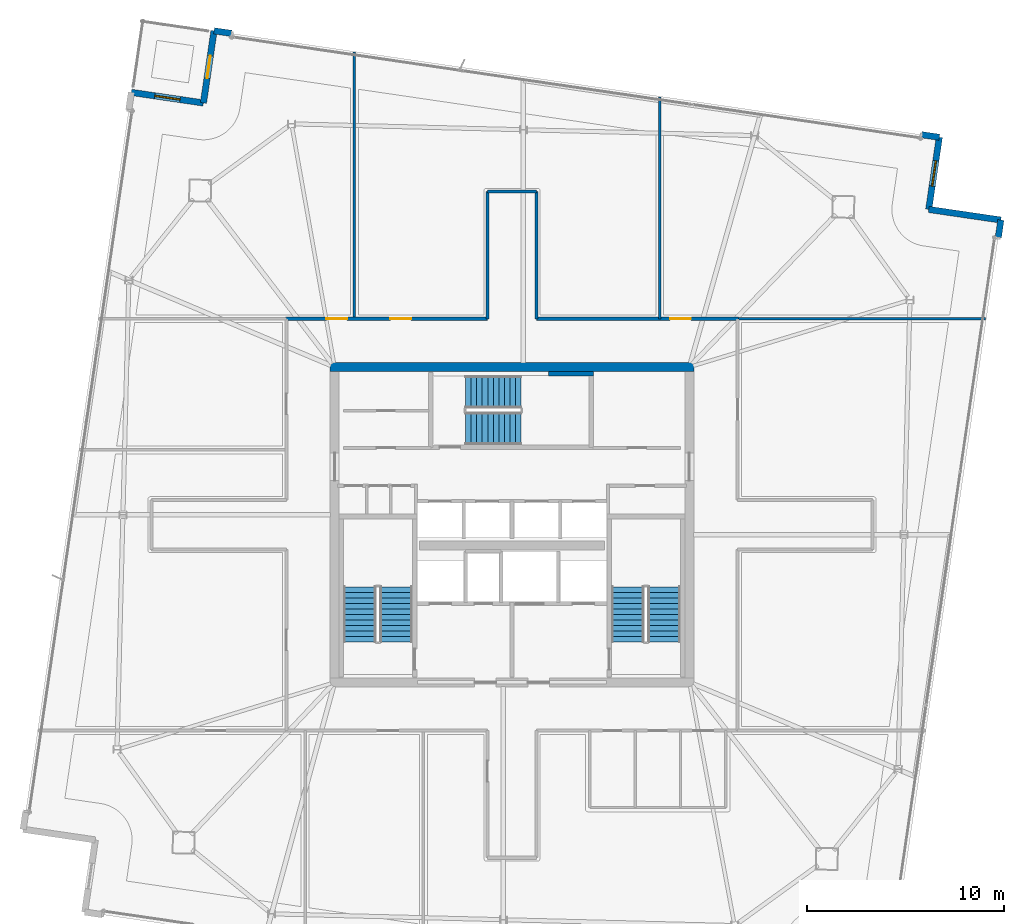
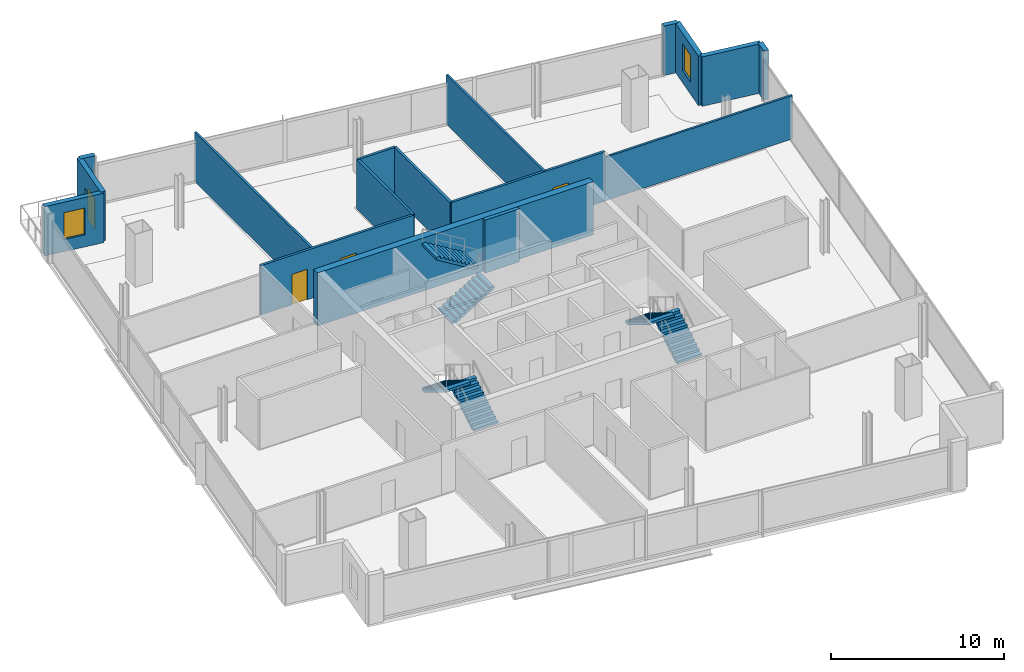
# One storey, part 19 of 22: 17 walls, 6 stair flights, 4 doors, 2 windows, 6 openings, 3 elements without a shape of their own.
"""IFC4 building model written with IfcOpenShell, lengths in metres."""

from ifc_helpers import new_model, si_unit, direction, frame, frame_2d, origin, place, context, subcontext, project, spatial, polyline, rectangle, outline, extrude, material, layer, layer_set, type_object, element, fill, aggregate, save


model = new_model("IFC4")

# Units and contexts
model_context = context("Model", 3, precision=1e-05, world=origin(), true_north=direction((0.0, 1.0)))
body_context = subcontext(model_context, "Body", "Model", "MODEL_VIEW")
ifc_project = project(units=[si_unit("LENGTHUNIT", "METRE"), si_unit("AREAUNIT", "SQUARE_METRE"), si_unit("VOLUMEUNIT", "CUBIC_METRE"), si_unit("PLANEANGLEUNIT", "RADIAN"), si_unit("MASSUNIT", "GRAM", prefix="KILO")], contexts=[model_context])

# Site, building, storey
site_placement = place(None, origin())
site = spatial("IfcSite", under=ifc_project, at=site_placement, CompositionType="ELEMENT")
building_placement = place(site_placement, origin())
building = spatial("IfcBuilding", under=site, at=building_placement, Name="Haldenkirk Collegiate Tower", CompositionType="ELEMENT")
storey_placement = place(building_placement, frame((0.0, 0.0, 302.699951171875)))
storey = spatial("IfcBuildingStorey", under=building, at=storey_placement, Name="L76", CompositionType="ELEMENT", Elevation=302.699951171875)

# Walls
ifc_material_1 = material(Name="Concrete f'c 55 MPa", Category="concrete")
ifc_layer_1 = layer(ifc_material_1, 0.449951171875)
ifc_layer_set_1 = layer_set([ifc_layer_1], Name="Concrete f'c 55 MPa")
wall_type_1 = type_object("IfcWallType", Name="WL-CORE-450", PredefinedType="SHEAR", material=ifc_layer_set_1)
wall_1_placement = place(storey_placement, frame((26.77490234375, 34.0, 0.0), z_axis=(0.0, 0.0, 1.0), x_axis=(1.0, 0.0, 0.0)))
element("IfcWall", 1, at=wall_1_placement, inside=storey, type_object=wall_type_1, Name="L76 central core shear wall N", PredefinedType="SHEAR", context=body_context, shape_type="SweptSolid", body=[
    extrude(rectangle(XDim=18.4501953125, YDim=0.449951171875, at=frame_2d((9.22509765625, 0.0))), origin(), (0.0, 0.0, 1.0), 3.75),
])
ifc_material_2 = material(Name="Precast concrete f'c 40 MPa", Category="concrete")
ifc_layer_2 = layer(ifc_material_2, 0.320068359375)
ifc_layer_set_2 = layer_set([ifc_layer_2], Name="Precast concrete f'c 40 MPa")
wall_type_2 = type_object("IfcWallType", Name="WL-EXT-TWR-320", PredefinedType="STANDARD", material=ifc_layer_set_2)
wall_2_placement = place(storey_placement, frame((60.808349609375, 41.461181640625, 0.0), z_axis=(0.0, 0.0, 1.0), x_axis=(-0.145408079603, -0.989371765509, 0.0)))
element("IfcWall", 2, at=wall_2_placement, inside=storey, type_object=wall_type_2, Name="L76 precast corner pier SL", PredefinedType="STANDARD", context=body_context, shape_type="SweptSolid", body=[
    extrude(rectangle(XDim=0.89990234375, YDim=0.320068359375, at=frame_2d((0.449951171875, 0.0))), origin(), (0.0, 0.0, 1.0), 3.489990234375),
])
wall_3_placement = place(storey_placement, frame((57.1474609375, 41.99853515625, 0.0), z_axis=(0.0, 0.0, 1.0), x_axis=(0.989398487116, -0.145226146725, 0.0)))
element("IfcWall", 3, at=wall_3_placement, inside=storey, type_object=wall_type_2, Name="L76 bronze precast notch wall 02", PredefinedType="STANDARD", context=body_context, shape_type="SweptSolid", body=[
    extrude(rectangle(XDim=3.7001953125, YDim=0.320068359375, at=frame_2d((1.85009765625, 0.0))), origin(), (0.0, 0.0, 1.0), 3.489990234375),
])

# Wall, opening, window
wall_4_placement = place(storey_placement, frame((57.684814453125, 45.6591796875, 0.0), z_axis=(0.0, 0.0, 1.0), x_axis=(-0.145235628047, -0.98939709538, 0.0)))
wall_4 = element("IfcWall", 4, at=wall_4_placement, inside=storey, type_object=wall_type_2, Name="L76 bronze precast notch wall 03", PredefinedType="STANDARD", context=body_context, shape_type="SweptSolid", body=[
    extrude(rectangle(XDim=3.699951171875, YDim=0.320068359375, at=frame_2d((1.85009765625, 0.0))), origin(), (0.0, 0.0, 1.0), 3.489990234375),
])
opening_1_placement = place(wall_4_placement, frame((1.199951171875, 0.0, 0.85009765625)))
opening_1 = element("IfcOpeningElement", 5, at=opening_1_placement, cuts=wall_4, Name="Opening W-08", PredefinedType="OPENING", context=body_context, shape_type="SweptSolid", body=[
    extrude(rectangle(XDim=1.300048828125, YDim=1.89990234375, at=frame_2d((0.64990234375, 0.949951171875))), frame((0.0, 0.169921875, 0.0), z_axis=(0.0, -1.0, 0.0), x_axis=(1.0, 0.0, 0.0)), (0.0, 0.0, 1.0), 0.340087890625),
])
ifc_material_3 = material(Name="Low-E argon triple insulating glass", Category="glass")
ifc_layer_3 = layer(ifc_material_3, 0.090087890625)
ifc_layer_set_3 = layer_set([ifc_layer_3], Name="Low-E argon triple insulating glass")
window_type = type_object("IfcWindowType", Name="WN-Z6-1300X1900", PartitioningType="SINGLE_PANEL", PredefinedType="WINDOW", material=ifc_layer_set_3)
window_1_placement = place(opening_1_placement, origin())
window_1 = element("IfcWindow", 6, at=window_1_placement, inside=storey, type_object=window_type, Name="L76 precast-frame academic window 2", OverallHeight=1.89990234375, OverallWidth=1.300048828125, PartitioningType="SINGLE_PANEL", PredefinedType="WINDOW", context=body_context, shape_type="SweptSolid", body=[
    extrude(rectangle(XDim=1.300048828125, YDim=1.89990234375, at=frame_2d((0.64990234375, 0.949951171875))), frame((0.0, 0.030029296875, 0.0), z_axis=(0.0, -1.0, 0.0), x_axis=(1.0, 0.0, 0.0)), (0.0, 0.0, 1.0), 0.06005859375),
])
fill(opening_1, window_1)

# Walls
wall_5_placement = place(storey_placement, frame((20.879150390625, 51.0615234375, 0.0), z_axis=(0.0, 0.0, 1.0), x_axis=(0.989410759004, -0.145142516059, 0.0)))
element("IfcWall", 7, at=wall_5_placement, inside=storey, type_object=wall_type_2, Name="L76 precast corner pier EL", PredefinedType="STANDARD", context=body_context, shape_type="SweptSolid", body=[
    extrude(rectangle(XDim=0.89990234375, YDim=0.320068359375, at=frame_2d((0.449951171875, 0.0))), origin(), (0.0, 0.0, 1.0), 3.489990234375),
])
wall_6_placement = place(storey_placement, frame((56.794189453125, 45.7900390625, 0.0), z_axis=(0.0, 0.0, 1.0), x_axis=(0.989377499091, -0.145369062366, 0.0)))
element("IfcWall", 8, at=wall_6_placement, inside=storey, type_object=wall_type_2, Name="L76 precast corner pier ER", PredefinedType="STANDARD", context=body_context, shape_type="SweptSolid", body=[
    extrude(rectangle(XDim=0.900146484375, YDim=0.320068359375, at=frame_2d((0.4501953125, 0.0))), origin(), (0.0, 0.0, 1.0), 3.489990234375),
])

# Wall, opening, door
wall_7_placement = place(storey_placement, frame((20.341796875, 47.400634765625, 0.0), z_axis=(0.0, 0.0, 1.0), x_axis=(0.145226146725, 0.989398487116, 0.0)))
wall_7 = element("IfcWall", 9, at=wall_7_placement, inside=storey, type_object=wall_type_2, Name="L76 bronze precast notch wall 05", PredefinedType="STANDARD", context=body_context, shape_type="SweptSolid", body=[
    extrude(rectangle(XDim=3.7001953125, YDim=0.320068359375, at=frame_2d((1.85009765625, 0.0))), origin(), (0.0, 0.0, 1.0), 3.489990234375),
])
opening_2_placement = place(wall_7_placement, frame((1.27490234375, 0.0, 0.0)))
opening_2 = element("IfcOpeningElement", 10, at=opening_2_placement, cuts=wall_7, Name="Opening D-ST11", PredefinedType="OPENING", context=body_context, shape_type="SweptSolid", body=[
    extrude(rectangle(XDim=1.14990234375, YDim=2.199951171875, at=frame_2d((0.574951171875, 1.10009765625))), frame((0.0, 0.169921875, 0.0), z_axis=(0.0, -1.0, 0.0), x_axis=(1.0, 0.0, 0.0)), (0.0, 0.0, 1.0), 0.340087890625),
])
ifc_material_4 = material(Name="Anodised architectural bronze aluminium", Category="aluminium")
ifc_layer_4 = layer(ifc_material_4, 0.080078125)
ifc_layer_set_4 = layer_set([ifc_layer_4], Name="Anodised architectural bronze aluminium")
door_type_1 = type_object("IfcDoorType", Name="DR-EXT-STER-1150", OperationType="NOTDEFINED", PredefinedType="DOOR", material=ifc_layer_set_4)
door_1_placement = place(opening_2_placement, origin())
door_1 = element("IfcDoor", 11, at=door_1_placement, inside=storey, type_object=door_type_1, Name="L76 spiralling terrace door", OperationType="SINGLE_SWING_LEFT", OverallHeight=2.199951171875, OverallWidth=1.14990234375, PredefinedType="DOOR", context=body_context, shape_type="SweptSolid", body=[
    extrude(rectangle(XDim=1.14990234375, YDim=2.199951171875, at=frame_2d((0.574951171875, 1.10009765625))), frame((0.0, 0.02490234375, 0.0), z_axis=(0.0, -1.0, 0.0), x_axis=(1.0, 0.0, 0.0)), (0.0, 0.0, 1.0), 0.050048828125),
])
fill(opening_2, door_1)

# Wall, opening, window
wall_8_placement = place(storey_placement, frame((16.680908203125, 47.93798828125, 0.0), z_axis=(0.0, 0.0, 1.0), x_axis=(0.989398487116, -0.145226146725, 0.0)))
wall_8 = element("IfcWall", 12, at=wall_8_placement, inside=storey, type_object=wall_type_2, Name="L76 bronze precast notch wall 06", PredefinedType="STANDARD", context=body_context, shape_type="SweptSolid", body=[
    extrude(rectangle(XDim=3.7001953125, YDim=0.320068359375, at=frame_2d((1.85009765625, 0.0))), origin(), (0.0, 0.0, 1.0), 3.489990234375),
])
opening_3_placement = place(wall_8_placement, frame((1.199951171875, 0.0, 0.85009765625)))
opening_3 = element("IfcOpeningElement", 13, at=opening_3_placement, cuts=wall_8, Name="Opening W-08", PredefinedType="OPENING", context=body_context, shape_type="SweptSolid", body=[
    extrude(rectangle(XDim=1.300048828125, YDim=1.89990234375, at=frame_2d((0.64990234375, 0.949951171875))), frame((0.0, 0.169921875, 0.0), z_axis=(0.0, -1.0, 0.0), x_axis=(1.0, 0.0, 0.0)), (0.0, 0.0, 1.0), 0.340087890625),
])
window_2_placement = place(opening_3_placement, origin())
window_2 = element("IfcWindow", 14, at=window_2_placement, inside=storey, type_object=window_type, Name="L76 precast-frame academic window 5", OverallHeight=1.89990234375, OverallWidth=1.300048828125, PartitioningType="SINGLE_PANEL", PredefinedType="WINDOW", context=body_context, shape_type="SweptSolid", body=[
    extrude(rectangle(XDim=1.300048828125, YDim=1.89990234375, at=frame_2d((0.64990234375, 0.949951171875))), frame((0.0, 0.030029296875, 0.0), z_axis=(0.0, -1.0, 0.0), x_axis=(1.0, 0.0, 0.0)), (0.0, 0.0, 1.0), 0.06005859375),
])
fill(opening_3, window_2)

# Wall, openings, doors
ifc_material_5 = material(Name="Acoustic fire-rated gypsum partition", Category="concrete")
ifc_layer_5 = layer(ifc_material_5, 0.159912109375)
ifc_layer_set_5 = layer_set([ifc_layer_5], Name="Acoustic fire-rated gypsum partition")
wall_type_3 = type_object("IfcWallType", Name="WL-INT-CORR-160", PredefinedType="PARTITIONING", material=ifc_layer_set_5)
wall_9_placement = place(storey_placement, frame((24.5, 36.449951171875, 0.0), z_axis=(0.0, 0.0, 1.0), x_axis=(1.0, 0.0, 0.0)))
wall_9 = element("IfcWall", 15, at=wall_9_placement, inside=storey, type_object=wall_type_3, Name="L76 interior partition IW-L76-CN1", PredefinedType="PARTITIONING", context=body_context, shape_type="SweptSolid", body=[
    extrude(rectangle(XDim=10.25, YDim=0.159912109375, at=frame_2d((5.125, 0.0))), origin(), (0.0, 0.0, 1.0), 3.489990234375),
])
opening_4_placement = place(wall_9_placement, frame((2.0810546875, 0.0, 0.0)))
opening_4 = element("IfcOpeningElement", 16, at=opening_4_placement, cuts=wall_9, Name="Opening D-09", PredefinedType="OPENING", context=body_context, shape_type="SweptSolid", body=[
    extrude(rectangle(XDim=1.050048828125, YDim=2.14990234375, at=frame_2d((0.52490234375, 1.074951171875))), frame((0.0, 0.08984375, 0.0), z_axis=(0.0, -1.0, 0.0), x_axis=(1.0, 0.0, 0.0)), (0.0, 0.0, 1.0), 0.179931640625),
])
opening_5_placement = place(wall_9_placement, frame((5.333984375, 0.0, 0.0)))
opening_5 = element("IfcOpeningElement", 17, at=opening_5_placement, cuts=wall_9, Name="Opening D-09", PredefinedType="OPENING", context=body_context, shape_type="SweptSolid", body=[
    extrude(rectangle(XDim=1.050048828125, YDim=2.14990234375, at=frame_2d((0.52490234375, 1.074951171875))), frame((0.0, 0.08984375, 0.0), z_axis=(0.0, -1.0, 0.0), x_axis=(1.0, 0.0, 0.0)), (0.0, 0.0, 1.0), 0.179931640625),
])
ifc_material_6 = material(Name="Solid-core architectural oak fire door", Category="wood")
ifc_layer_6 = layer(ifc_material_6, 0.06005859375)
ifc_layer_set_6 = layer_set([ifc_layer_6], Name="Solid-core architectural oak fire door")
door_type_2 = type_object("IfcDoorType", Name="DR-INT-FD60-1050", OperationType="NOTDEFINED", PredefinedType="DOOR", material=ifc_layer_set_6)
door_2_placement = place(opening_4_placement, origin())
door_2 = element("IfcDoor", 18, at=door_2_placement, inside=storey, type_object=door_type_2, Name="L76 Occupational Health Clinic 4 door", OperationType="SINGLE_SWING_LEFT", OverallHeight=2.14990234375, OverallWidth=1.050048828125, PredefinedType="DOOR", context=body_context, shape_type="SweptSolid", body=[
    extrude(rectangle(XDim=1.050048828125, YDim=2.14990234375, at=frame_2d((0.52490234375, 1.074951171875))), frame((0.0, 0.02490234375, 0.0), z_axis=(0.0, -1.0, 0.0), x_axis=(1.0, 0.0, 0.0)), (0.0, 0.0, 1.0), 0.050048828125),
])
fill(opening_4, door_2)
door_3_placement = place(opening_5_placement, origin())
door_3 = element("IfcDoor", 19, at=door_3_placement, inside=storey, type_object=door_type_2, Name="L76 Acoustics Testing Laboratory 5 door", OperationType="SINGLE_SWING_RIGHT", OverallHeight=2.14990234375, OverallWidth=1.050048828125, PredefinedType="DOOR", context=body_context, shape_type="SweptSolid", body=[
    extrude(rectangle(XDim=1.050048828125, YDim=2.14990234375, at=frame_2d((0.52490234375, 1.074951171875))), frame((0.0, 0.02490234375, 0.0), z_axis=(0.0, -1.0, 0.0), x_axis=(1.0, 0.0, 0.0)), (0.0, 0.0, 1.0), 0.050048828125),
])
fill(opening_5, door_3)

# Wall, opening, door
wall_10_placement = place(storey_placement, frame((37.25, 36.449951171875, 0.0), z_axis=(0.0, 0.0, 1.0), x_axis=(1.0, 0.0, 0.0)))
wall_10 = element("IfcWall", 20, at=wall_10_placement, inside=storey, type_object=wall_type_3, Name="L76 interior partition IW-L76-CN2", PredefinedType="PARTITIONING", context=body_context, shape_type="SweptSolid", body=[
    extrude(rectangle(XDim=10.25, YDim=0.159912109375, at=frame_2d((5.125, 0.0))), origin(), (0.0, 0.0, 1.0), 3.489990234375),
])
opening_6_placement = place(wall_10_placement, frame((6.779052734375, 0.0, 0.0)))
opening_6 = element("IfcOpeningElement", 21, at=opening_6_placement, cuts=wall_10, Name="Opening D-09", PredefinedType="OPENING", context=body_context, shape_type="SweptSolid", body=[
    extrude(rectangle(XDim=1.050048828125, YDim=2.14990234375, at=frame_2d((0.52490234375, 1.074951171875))), frame((0.0, 0.08984375, 0.0), z_axis=(0.0, -1.0, 0.0), x_axis=(1.0, 0.0, 0.0)), (0.0, 0.0, 1.0), 0.179931640625),
])
door_4_placement = place(opening_6_placement, origin())
door_4 = element("IfcDoor", 22, at=door_4_placement, inside=storey, type_object=door_type_2, Name="L76 Environmental Lab 6 door", OperationType="SINGLE_SWING_LEFT", OverallHeight=2.14990234375, OverallWidth=1.050048828125, PredefinedType="DOOR", context=body_context, shape_type="SweptSolid", body=[
    extrude(rectangle(XDim=1.050048828125, YDim=2.14990234375, at=frame_2d((0.52490234375, 1.074951171875))), frame((0.0, 0.02490234375, 0.0), z_axis=(0.0, -1.0, 0.0), x_axis=(1.0, 0.0, 0.0)), (0.0, 0.0, 1.0), 0.050048828125),
])
fill(opening_6, door_4)

# Walls
for number, where, z_axis, x_axis, name in (
    (23, (34.75, 36.449951171875, 0.0), (0.0, 0.0, 1.0), (0.0, 1.0, 0.0), "L76 interior partition IW-L76-NPW"),
    (24, (37.25, 36.449951171875, 0.0), (0.0, 0.0, 1.0), (0.0, 1.0, 0.0), "L76 interior partition IW-L76-NPE"),
):
    element("IfcWall", number, at=place(storey_placement, frame(where, z_axis=z_axis, x_axis=x_axis)), inside=storey, type_object=wall_type_3, Name=name, PredefinedType="PARTITIONING", context=body_context, shape_type="SweptSolid", body=[
        extrude(rectangle(XDim=6.449951171875, YDim=0.159912109375, at=frame_2d((3.22509765625, 0.0))), origin(), (0.0, 0.0, 1.0), 3.489990234375),
    ])
wall_11_placement = place(storey_placement, frame((34.75, 42.89990234375, 0.0), z_axis=(0.0, 0.0, 1.0), x_axis=(1.0, 0.0, 0.0)))
element("IfcWall", 25, at=wall_11_placement, inside=storey, type_object=wall_type_3, Name="L76 interior partition IW-L76-NPN", PredefinedType="PARTITIONING", context=body_context, shape_type="SweptSolid", body=[
    extrude(rectangle(XDim=2.5, YDim=0.159912109375, at=frame_2d((1.25, 0.0))), origin(), (0.0, 0.0, 1.0), 3.489990234375),
])
ifc_layer_7 = layer(ifc_material_5, 0.139892578125)
ifc_layer_set_7 = layer_set([ifc_layer_7], Name="Acoustic fire-rated gypsum partition")
wall_type_4 = type_object("IfcWallType", Name="WL-INT-DIV-140", PredefinedType="PARTITIONING", material=ifc_layer_set_7)
wall_12_placement = place(storey_placement, frame((47.449951171875, 36.449951171875, 0.0), z_axis=(0.0, 0.0, 1.0), x_axis=(1.0, 0.0, 0.0)))
element("IfcWall", 26, at=wall_12_placement, inside=storey, type_object=wall_type_4, Name="L76 interior partition IW-L76-BEN", PredefinedType="PARTITIONING", context=body_context, shape_type="SweptSolid", body=[
    extrude(rectangle(XDim=12.582275390625, YDim=0.139892578125, at=frame_2d((6.291015625, 0.0))), origin(), (0.0, 0.0, 1.0), 3.0791015625),
])
wall_13_placement = place(storey_placement, frame((28.0, 36.449951171875, 0.0), z_axis=(0.0, 0.0, 1.0), x_axis=(0.0, 1.0, 0.0)))
element("IfcWall", 27, at=wall_13_placement, inside=storey, type_object=wall_type_4, Name="L76 interior partition IW-L76-RN1", PredefinedType="PARTITIONING", context=body_context, shape_type="SweptSolid", body=[
    extrude(rectangle(XDim=13.52587890625, YDim=0.139892578125, at=frame_2d((6.762939453125, 0.0))), origin(), (0.0, 0.0, 1.0), 3.489990234375),
])
wall_14_placement = place(storey_placement, frame((43.5, 36.449951171875, 0.0), z_axis=(0.0, 0.0, 1.0), x_axis=(0.0, 1.0, 0.0)))
element("IfcWall", 28, at=wall_14_placement, inside=storey, type_object=wall_type_4, Name="L76 interior partition IW-L76-RN2", PredefinedType="PARTITIONING", context=body_context, shape_type="SweptSolid", body=[
    extrude(rectangle(XDim=11.2509765625, YDim=0.139892578125, at=frame_2d((5.62548828125, 0.0))), origin(), (0.0, 0.0, 1.0), 3.489990234375),
])
ifc_layer_8 = layer(ifc_material_1, 0.239990234375)
ifc_layer_set_8 = layer_set([ifc_layer_8], Name="Concrete f'c 55 MPa")
wall_type_5 = type_object("IfcWallType", Name="WL-SHAFT-240", PredefinedType="SHEAR", material=ifc_layer_set_8)
wall_15_placement = place(storey_placement, frame((37.85009765625, 33.659912109375, 0.0), z_axis=(0.0, 0.0, 1.0), x_axis=(1.0, 0.0, 0.0)))
element("IfcWall", 29, at=wall_15_placement, inside=storey, type_object=wall_type_5, Name="L76 stair shaft shear wall SW-L76-ST3N", PredefinedType="SHEAR", context=body_context, shape_type="SweptSolid", body=[
    extrude(rectangle(XDim=2.289794921875, YDim=0.239990234375, at=frame_2d((1.14501953125, 0.0))), origin(), (0.0, 0.0, 1.0), 3.75),
])

# Stair, stair flights
ifc_material_7 = material(Name="Concrete f'c 40 MPa", Category="concrete")
stair_type = type_object("IfcStairType", Name="STR-DOGLEG-1650", PredefinedType="HALF_TURN_STAIR", material=ifc_material_7)
stair_1_placement = place(storey_placement, origin())
stair_1 = element("IfcStair", 30, at=stair_1_placement, inside=storey, type_object=stair_type, Name="L76 Core Exit Stair ST-1", PredefinedType="HALF_TURN_STAIR")
stair_flight_type = type_object("IfcStairFlightType", Name="STF-FLIGHT-1650", PredefinedType="STRAIGHT", material=ifc_material_7)
stair_flight_1_placement = place(storey_placement, frame((30.125, 20.050048828125, 0.0), z_axis=(0.0, 0.0, 1.0), x_axis=(0.0, 1.0, 0.0)))
stair_flight_1 = element("IfcStairFlight", 31, at=stair_flight_1_placement, type_object=stair_flight_type, Name="ST-1 flight 1", NumberOfRisers=11, NumberOfTreads=10, PredefinedType="STRAIGHT", RiserHeight=0.170454545, TreadLength=0.28, context=body_context, shape_type="SweptSolid", body=[
    extrude(outline(polyline([(0.0, 0.0), (0.0, 0.17041015625), (0.280029296875, 0.17041015625), (0.280029296875, 0.3408203125), (0.56005859375, 0.3408203125), (0.56005859375, 0.511474609375), (0.840087890625, 0.511474609375), (0.840087890625, 0.681884765625), (1.1201171875, 0.681884765625), (1.1201171875, 0.852294921875), (1.39990234375, 0.852294921875), (1.39990234375, 1.022705078125), (1.679931640625, 1.022705078125), (1.679931640625, 1.193115234375), (1.9599609375, 1.193115234375), (1.9599609375, 1.363525390625), (2.239990234375, 1.363525390625), (2.239990234375, 1.5341796875), (2.52001953125, 1.5341796875), (2.52001953125, 1.70458984375), (2.800048828125, 1.70458984375), (2.800048828125, 1.875), (2.800048828125, 1.529052734375), (0.288330078125, 0.0), (0.0, 0.0)])), frame((0.0, 0.824951171875, 0.0), z_axis=(0.0, -1.0, 0.0), x_axis=(1.0, 0.0, 0.0)), (0.0, 0.0, 1.0), 1.64990234375),
])
stair_flight_2_placement = place(storey_placement, frame((28.27490234375, 22.85009765625, 1.875), z_axis=(0.0, 0.0, 1.0), x_axis=(0.0, -1.0, 0.0)))
stair_flight_2 = element("IfcStairFlight", 32, at=stair_flight_2_placement, type_object=stair_flight_type, Name="ST-1 flight 2", NumberOfRisers=11, NumberOfTreads=10, PredefinedType="STRAIGHT", RiserHeight=0.170454545, TreadLength=0.28, context=body_context, shape_type="SweptSolid", body=[
    extrude(outline(polyline([(0.0, 0.0), (0.0, 0.17041015625), (0.280029296875, 0.17041015625), (0.280029296875, 0.3408203125), (0.56005859375, 0.3408203125), (0.56005859375, 0.511474609375), (0.840087890625, 0.511474609375), (0.840087890625, 0.681884765625), (1.1201171875, 0.681884765625), (1.1201171875, 0.852294921875), (1.39990234375, 0.852294921875), (1.39990234375, 1.022705078125), (1.679931640625, 1.022705078125), (1.679931640625, 1.193115234375), (1.9599609375, 1.193115234375), (1.9599609375, 1.363525390625), (2.239990234375, 1.363525390625), (2.239990234375, 1.5341796875), (2.52001953125, 1.5341796875), (2.52001953125, 1.70458984375), (2.800048828125, 1.70458984375), (2.800048828125, 1.875), (2.800048828125, 1.529052734375), (0.288330078125, 0.0), (0.0, 0.0)])), frame((0.0, 0.824951171875, 0.0), z_axis=(0.0, -1.0, 0.0), x_axis=(1.0, 0.0, 0.0)), (0.0, 0.0, 1.0), 1.64990234375),
])
aggregate(stair_1, [stair_flight_1, stair_flight_2])

stair_2_placement = place(storey_placement, origin())
stair_2 = element("IfcStair", 33, at=stair_2_placement, inside=storey, type_object=stair_type, Name="L76 Core Exit Stair ST-2", PredefinedType="HALF_TURN_STAIR")
stair_flight_3_placement = place(storey_placement, frame((43.72509765625, 20.050048828125, 0.0), z_axis=(0.0, 0.0, 1.0), x_axis=(0.0, 1.0, 0.0)))
stair_flight_3 = element("IfcStairFlight", 34, at=stair_flight_3_placement, type_object=stair_flight_type, Name="ST-2 flight 1", NumberOfRisers=11, NumberOfTreads=10, PredefinedType="STRAIGHT", RiserHeight=0.170454545, TreadLength=0.28, context=body_context, shape_type="SweptSolid", body=[
    extrude(outline(polyline([(0.0, 0.0), (0.0, 0.17041015625), (0.280029296875, 0.17041015625), (0.280029296875, 0.3408203125), (0.56005859375, 0.3408203125), (0.56005859375, 0.511474609375), (0.840087890625, 0.511474609375), (0.840087890625, 0.681884765625), (1.1201171875, 0.681884765625), (1.1201171875, 0.852294921875), (1.39990234375, 0.852294921875), (1.39990234375, 1.022705078125), (1.679931640625, 1.022705078125), (1.679931640625, 1.193115234375), (1.9599609375, 1.193115234375), (1.9599609375, 1.363525390625), (2.239990234375, 1.363525390625), (2.239990234375, 1.5341796875), (2.52001953125, 1.5341796875), (2.52001953125, 1.70458984375), (2.800048828125, 1.70458984375), (2.800048828125, 1.875), (2.800048828125, 1.529052734375), (0.288330078125, 0.0), (0.0, 0.0)])), frame((0.0, 0.824951171875, 0.0), z_axis=(0.0, -1.0, 0.0), x_axis=(1.0, 0.0, 0.0)), (0.0, 0.0, 1.0), 1.64990234375),
])
stair_flight_4_placement = place(storey_placement, frame((41.875, 22.85009765625, 1.875), z_axis=(0.0, 0.0, 1.0), x_axis=(0.0, -1.0, 0.0)))
stair_flight_4 = element("IfcStairFlight", 35, at=stair_flight_4_placement, type_object=stair_flight_type, Name="ST-2 flight 2", NumberOfRisers=11, NumberOfTreads=10, PredefinedType="STRAIGHT", RiserHeight=0.170454545, TreadLength=0.28, context=body_context, shape_type="SweptSolid", body=[
    extrude(outline(polyline([(0.0, 0.0), (0.0, 0.17041015625), (0.280029296875, 0.17041015625), (0.280029296875, 0.3408203125), (0.56005859375, 0.3408203125), (0.56005859375, 0.511474609375), (0.840087890625, 0.511474609375), (0.840087890625, 0.681884765625), (1.1201171875, 0.681884765625), (1.1201171875, 0.852294921875), (1.39990234375, 0.852294921875), (1.39990234375, 1.022705078125), (1.679931640625, 1.022705078125), (1.679931640625, 1.193115234375), (1.9599609375, 1.193115234375), (1.9599609375, 1.363525390625), (2.239990234375, 1.363525390625), (2.239990234375, 1.5341796875), (2.52001953125, 1.5341796875), (2.52001953125, 1.70458984375), (2.800048828125, 1.70458984375), (2.800048828125, 1.875), (2.800048828125, 1.529052734375), (0.288330078125, 0.0), (0.0, 0.0)])), frame((0.0, 0.824951171875, 0.0), z_axis=(0.0, -1.0, 0.0), x_axis=(1.0, 0.0, 0.0)), (0.0, 0.0, 1.0), 1.64990234375),
])
aggregate(stair_2, [stair_flight_3, stair_flight_4])

stair_3_placement = place(storey_placement, origin())
stair_3 = element("IfcStair", 36, at=stair_3_placement, inside=storey, type_object=stair_type, Name="L76 Core Exit Stair ST-3", PredefinedType="HALF_TURN_STAIR")
stair_flight_5_placement = place(storey_placement, frame((33.64990234375, 30.875, 0.0), z_axis=(0.0, 0.0, 1.0), x_axis=(1.0, 0.0, 0.0)))
stair_flight_5 = element("IfcStairFlight", 37, at=stair_flight_5_placement, type_object=stair_flight_type, Name="ST-3 flight 1", NumberOfRisers=11, NumberOfTreads=10, PredefinedType="STRAIGHT", RiserHeight=0.170454545, TreadLength=0.28, context=body_context, shape_type="SweptSolid", body=[
    extrude(outline(polyline([(0.0, 0.0), (0.0, 0.17041015625), (0.280029296875, 0.17041015625), (0.280029296875, 0.3408203125), (0.56005859375, 0.3408203125), (0.56005859375, 0.511474609375), (0.840087890625, 0.511474609375), (0.840087890625, 0.681884765625), (1.1201171875, 0.681884765625), (1.1201171875, 0.852294921875), (1.39990234375, 0.852294921875), (1.39990234375, 1.022705078125), (1.679931640625, 1.022705078125), (1.679931640625, 1.193115234375), (1.9599609375, 1.193115234375), (1.9599609375, 1.363525390625), (2.239990234375, 1.363525390625), (2.239990234375, 1.5341796875), (2.52001953125, 1.5341796875), (2.52001953125, 1.70458984375), (2.800048828125, 1.70458984375), (2.800048828125, 1.875), (2.800048828125, 1.529052734375), (0.288330078125, 0.0), (0.0, 0.0)])), frame((0.0, 0.824951171875, 0.0), z_axis=(0.0, -1.0, 0.0), x_axis=(1.0, 0.0, 0.0)), (0.0, 0.0, 1.0), 1.64990234375),
])
stair_flight_6_placement = place(storey_placement, frame((36.449951171875, 32.72509765625, 1.875), z_axis=(0.0, 0.0, 1.0), x_axis=(-1.0, 0.0, 0.0)))
stair_flight_6 = element("IfcStairFlight", 38, at=stair_flight_6_placement, type_object=stair_flight_type, Name="ST-3 flight 2", NumberOfRisers=11, NumberOfTreads=10, PredefinedType="STRAIGHT", RiserHeight=0.170454545, TreadLength=0.28, context=body_context, shape_type="SweptSolid", body=[
    extrude(outline(polyline([(0.0, 0.0), (0.0, 0.17041015625), (0.280029296875, 0.17041015625), (0.280029296875, 0.3408203125), (0.56005859375, 0.3408203125), (0.56005859375, 0.511474609375), (0.840087890625, 0.511474609375), (0.840087890625, 0.681884765625), (1.1201171875, 0.681884765625), (1.1201171875, 0.852294921875), (1.39990234375, 0.852294921875), (1.39990234375, 1.022705078125), (1.679931640625, 1.022705078125), (1.679931640625, 1.193115234375), (1.9599609375, 1.193115234375), (1.9599609375, 1.363525390625), (2.239990234375, 1.363525390625), (2.239990234375, 1.5341796875), (2.52001953125, 1.5341796875), (2.52001953125, 1.70458984375), (2.800048828125, 1.70458984375), (2.800048828125, 1.875), (2.800048828125, 1.529052734375), (0.288330078125, 0.0), (0.0, 0.0)])), frame((0.0, 0.824951171875, 0.0), z_axis=(0.0, -1.0, 0.0), x_axis=(1.0, 0.0, 0.0)), (0.0, 0.0, 1.0), 1.64990234375),
])
aggregate(stair_3, [stair_flight_5, stair_flight_6])

save(model, "model.ifc")
